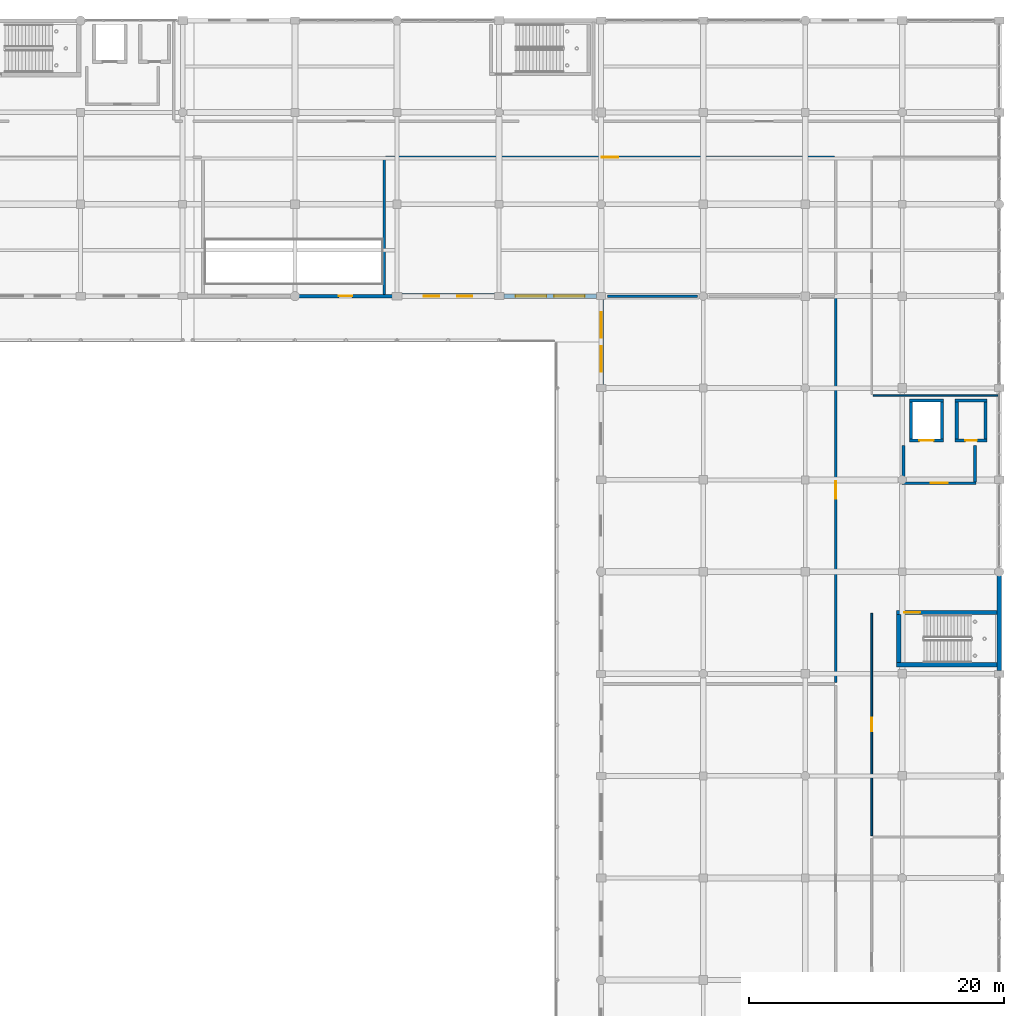
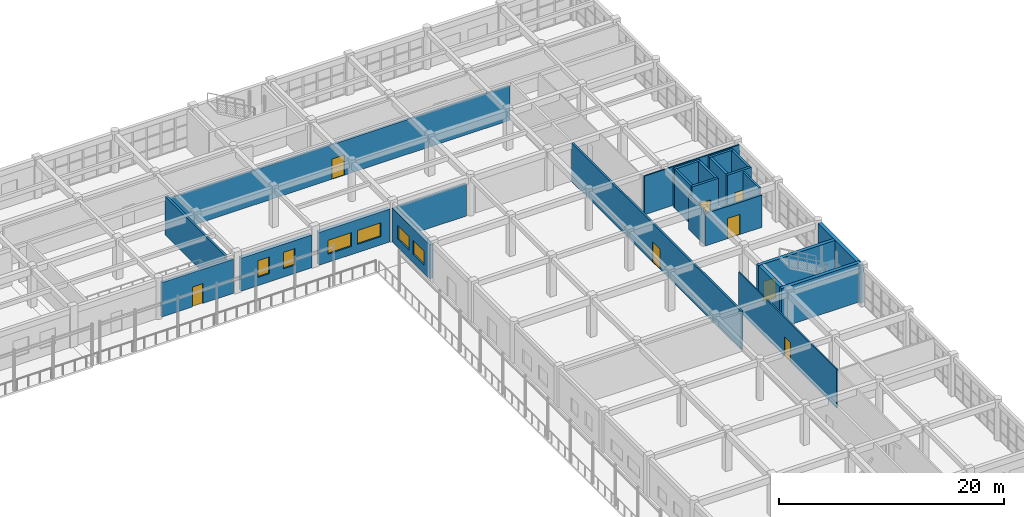
# One storey, part 136 of 160: 25 walls, 8 doors, 6 windows, 14 openings.
"""IFC4 building model written with IfcOpenShell, lengths in metres."""

from ifc_helpers import new_model, si_unit, direction, frame, frame_2d, origin, place, context, subcontext, project, spatial, rectangle, extrude, material, layer, layer_set, type_object, element, fill, save


model = new_model("IFC4")

# Units and contexts
model_context = context("Model", 3, precision=1e-05, world=origin(), true_north=direction((0.0, 1.0)))
body_context = subcontext(model_context, "Body", "Model", "MODEL_VIEW")
ifc_project = project(units=[si_unit("LENGTHUNIT", "METRE"), si_unit("AREAUNIT", "SQUARE_METRE"), si_unit("VOLUMEUNIT", "CUBIC_METRE"), si_unit("PLANEANGLEUNIT", "RADIAN"), si_unit("MASSUNIT", "GRAM", prefix="KILO")], contexts=[model_context])

# Site, building, storey
site_placement = place(None, origin())
site = spatial("IfcSite", under=ifc_project, at=site_placement, CompositionType="ELEMENT")
building_placement = place(site_placement, origin())
building = spatial("IfcBuilding", under=site, at=building_placement, Name="Kharva Crest Polytechnic", CompositionType="ELEMENT")
storey_placement = place(building_placement, frame((0.0, 0.0, 4.5)))
storey = spatial("IfcBuildingStorey", under=building, at=storey_placement, Name="L01", CompositionType="ELEMENT", Elevation=4.5)

# Wall
ifc_material_1 = material(Name="Concrete C40/50", Category="concrete")
ifc_layer_1 = layer(ifc_material_1, 0.35009765625, Name="Concrete C40/50")
ifc_layer_set_1 = layer_set([ifc_layer_1], Name="Concrete C40/50")
wall_type_1 = type_object("IfcWallType", Name="WL-CORE-CW1-350", PredefinedType="SHEAR", material=ifc_layer_set_1)
wall_1_placement = place(storey_placement, frame((175.949951171875, 71.4951171875, 0.0), z_axis=(0.0, 0.0, 1.0), x_axis=(1.0, 0.0, 0.0)))
element("IfcWall", 1, at=wall_1_placement, inside=storey, type_object=wall_type_1, Name="L01 East Crest Firefighting Core C5 South Shear Wall", PredefinedType="SHEAR", context=body_context, shape_type="SweptSolid", body=[
    extrude(rectangle(XDim=8.10009765625, YDim=0.35009765625, at=frame_2d((4.050048828125, 0.0))), origin(), (0.0, 0.0, 1.0), 4.219970703125),
])

# Wall, opening, door
wall_2_placement = place(storey_placement, frame((175.949951171875, 75.60498046875, 0.0), z_axis=(0.0, 0.0, 1.0), x_axis=(1.0, 0.0, 0.0)))
wall_2 = element("IfcWall", 2, at=wall_2_placement, inside=storey, type_object=wall_type_1, Name="L01 East Crest Firefighting Core C5 North Shear Wall", PredefinedType="SHEAR", context=body_context, shape_type="SweptSolid", body=[
    extrude(rectangle(XDim=8.10009765625, YDim=0.35009765625, at=frame_2d((4.050048828125, 0.0))), origin(), (0.0, 0.0, 1.0), 4.219970703125),
])
opening_1_placement = place(wall_2_placement, frame((0.60009765625, 0.0, 0.0)))
opening_1 = element("IfcOpeningElement", 3, at=opening_1_placement, cuts=wall_2, Name="Opening FD1B", PredefinedType="OPENING", context=body_context, shape_type="SweptSolid", body=[
    extrude(rectangle(XDim=1.25, YDim=2.199951171875, at=frame_2d((0.625, 1.10009765625))), frame((0.0, 0.18505859375, 0.0), z_axis=(0.0, -1.0, 0.0), x_axis=(1.0, 0.0, 0.0)), (0.0, 0.0, 1.0), 0.3701171875),
])
ifc_material_2 = material(Name="Teak timber", Category="wood")
door_type_1 = type_object("IfcDoorType", Name="DR-STAIR-1250X2200", OperationType="NOTDEFINED", PredefinedType="DOOR", material=ifc_material_2)
door_1_placement = place(opening_1_placement, origin())
door_1 = element("IfcDoor", 4, at=door_1_placement, inside=storey, type_object=door_type_1, Name="L01 ST-05 Stair Door", OperationType="SINGLE_SWING_LEFT", OverallHeight=2.199951171875, OverallWidth=1.25, PredefinedType="DOOR", context=body_context, shape_type="SweptSolid", body=[
    extrude(rectangle(XDim=1.25, YDim=2.199951171875, at=frame_2d((0.625, 1.10009765625))), frame((0.0, 0.02490234375, 0.0), z_axis=(0.0, -1.0, 0.0), x_axis=(1.0, 0.0, 0.0)), (0.0, 0.0, 1.0), 0.050048828125),
])
fill(opening_1, door_1)

# Wall
wall_3_placement = place(storey_placement, frame((176.125, 71.669921875, 0.0), z_axis=(0.0, 0.0, 1.0), x_axis=(0.0, 1.0, 0.0)))
element("IfcWall", 5, at=wall_3_placement, inside=storey, type_object=wall_type_1, Name="L01 East Crest Firefighting Core C5 West Shear Wall", PredefinedType="SHEAR", context=body_context, shape_type="SweptSolid", body=[
    extrude(rectangle(XDim=3.760009765625, YDim=0.35009765625, at=frame_2d((1.8798828125, 0.0))), origin(), (0.0, 0.0, 1.0), 4.219970703125),
])

# Wall, opening, door
ifc_material_3 = material(Name="Kiln brick masonry", Category="masonry")
ifc_layer_2 = layer(ifc_material_3, 0.260009765625, Name="Kiln brick masonry")
ifc_layer_set_2 = layer_set([ifc_layer_2], Name="Kiln brick masonry")
wall_type_2 = type_object("IfcWallType", Name="WL-EXT-BRK-260", PredefinedType="SOLIDWALL", material=ifc_layer_set_2)
wall_4_placement = place(storey_placement, frame((129.102294921875, 100.39990234375, 0.0), z_axis=(0.0, 0.0, 1.0), x_axis=(1.0, 0.0, 0.0)))
wall_4 = element("IfcWall", 6, at=wall_4_placement, inside=storey, type_object=wall_type_2, Name="L01 Exterior Brick Wall 188", PredefinedType="SOLIDWALL", context=body_context, shape_type="SweptSolid", body=[
    extrude(rectangle(XDim=7.32763671875, YDim=0.260009765625, at=frame_2d((3.663818359375, 0.0))), origin(), (0.0, 0.0, 1.0), 3.719970703125),
])
opening_2_placement = place(wall_4_placement, frame((3.138916015625, 0.0, 0.0)))
opening_2 = element("IfcOpeningElement", 7, at=opening_2_placement, cuts=wall_4, Name="Opening ED10", PredefinedType="OPENING", context=body_context, shape_type="SweptSolid", body=[
    extrude(rectangle(XDim=1.050048828125, YDim=2.14990234375, at=frame_2d((0.52490234375, 1.074951171875))), frame((0.0, 0.139892578125, 0.0), z_axis=(0.0, -1.0, 0.0), x_axis=(1.0, 0.0, 0.0)), (0.0, 0.0, 1.0), 0.280029296875),
])
ifc_material_4 = material(Name="Anodised aluminium", Category="aluminium")
door_type_2 = type_object("IfcDoorType", Name="DR-EXT-TER-1050X2150", OperationType="NOTDEFINED", PredefinedType="DOOR", material=ifc_material_4)
door_2_placement = place(opening_2_placement, frame((1.050048828125, 0.0, 0.0), z_axis=(0.0, 0.0, 1.0), x_axis=(-1.0, 0.0, 0.0)))
door_2 = element("IfcDoor", 8, at=door_2_placement, inside=storey, type_object=door_type_2, Name="L01 VER_N_L01 Access Door 39", OperationType="SINGLE_SWING_LEFT", OverallHeight=2.14990234375, OverallWidth=1.050048828125, PredefinedType="DOOR", context=body_context, shape_type="SweptSolid", body=[
    extrude(rectangle(XDim=1.050048828125, YDim=2.14990234375, at=frame_2d((0.52490234375, 1.074951171875))), frame((0.0, 0.02490234375, 0.0), z_axis=(0.0, -1.0, 0.0), x_axis=(1.0, 0.0, 0.0)), (0.0, 0.0, 1.0), 0.050048828125),
])
fill(opening_2, door_2)

# Wall, openings, windows
ifc_layer_3 = layer(ifc_material_3, 0.35009765625, Name="Kiln brick masonry")
ifc_layer_set_3 = layer_set([ifc_layer_3], Name="Kiln brick masonry")
wall_type_3 = type_object("IfcWallType", Name="WL-EXT-BRK-350", PredefinedType="SOLIDWALL", material=ifc_layer_set_3)
wall_5_placement = place(storey_placement, frame((152.800048828125, 100.1298828125, 0.0), z_axis=(0.0, 0.0, 1.0), x_axis=(0.0, -1.0, 0.0)))
wall_5 = element("IfcWall", 9, at=wall_5_placement, inside=storey, type_object=wall_type_3, Name="L01 Exterior Brick Wall 191", PredefinedType="SOLIDWALL", context=body_context, shape_type="SweptSolid", body=[
    extrude(rectangle(XDim=6.659912109375, YDim=0.35009765625, at=frame_2d((3.330078125, 0.0))), origin(), (0.0, 0.0, 1.0), 3.699951171875),
])
opening_3_placement = place(wall_5_placement, frame((0.992919921875, 0.0, 0.89990234375)))
opening_3 = element("IfcOpeningElement", 10, at=opening_3_placement, cuts=wall_5, Name="Opening W12", PredefinedType="OPENING", context=body_context, shape_type="SweptSolid", body=[
    extrude(rectangle(XDim=2.0, YDim=1.5, at=frame_2d((1.0, 0.75))), frame((0.0, 0.18505859375, 0.0), z_axis=(0.0, -1.0, 0.0), x_axis=(1.0, 0.0, 0.0)), (0.0, 0.0, 1.0), 0.3701171875),
])
opening_4_placement = place(wall_5_placement, frame((3.6669921875, 0.0, 0.89990234375)))
opening_4 = element("IfcOpeningElement", 11, at=opening_4_placement, cuts=wall_5, Name="Opening W12", PredefinedType="OPENING", context=body_context, shape_type="SweptSolid", body=[
    extrude(rectangle(XDim=2.0, YDim=1.5, at=frame_2d((1.0, 0.75))), frame((0.0, 0.18505859375, 0.0), z_axis=(0.0, -1.0, 0.0), x_axis=(1.0, 0.0, 0.0)), (0.0, 0.0, 1.0), 0.3701171875),
])
window_type_1 = type_object("IfcWindowType", Name="WIN-ALU-2000X1500", PartitioningType="SINGLE_PANEL", PredefinedType="WINDOW", material=ifc_material_4)
window_1_placement = place(opening_3_placement, origin())
window_1 = element("IfcWindow", 12, at=window_1_placement, inside=storey, type_object=window_type_1, Name="L01 Exterior Window 250", OverallHeight=1.5, OverallWidth=2.0, PartitioningType="SINGLE_PANEL", PredefinedType="WINDOW", context=body_context, shape_type="SweptSolid", body=[
    extrude(rectangle(XDim=2.0, YDim=1.5, at=frame_2d((1.0, 0.75))), frame((0.0, 0.030029296875, 0.0), z_axis=(0.0, -1.0, 0.0), x_axis=(1.0, 0.0, 0.0)), (0.0, 0.0, 1.0), 0.06005859375),
])
fill(opening_3, window_1)
window_2_placement = place(opening_4_placement, origin())
window_2 = element("IfcWindow", 13, at=window_2_placement, inside=storey, type_object=window_type_1, Name="L01 Exterior Window 251", OverallHeight=1.5, OverallWidth=2.0, PartitioningType="SINGLE_PANEL", PredefinedType="WINDOW", context=body_context, shape_type="SweptSolid", body=[
    extrude(rectangle(XDim=2.0, YDim=1.5, at=frame_2d((1.0, 0.75))), frame((0.0, 0.030029296875, 0.0), z_axis=(0.0, -1.0, 0.0), x_axis=(1.0, 0.0, 0.0)), (0.0, 0.0, 1.0), 0.06005859375),
])
fill(opening_4, window_2)

ifc_layer_4 = layer(ifc_material_3, 0.364990234375, Name="Kiln brick masonry")
ifc_layer_set_4 = layer_set([ifc_layer_4], Name="Kiln brick masonry")
wall_type_4 = type_object("IfcWallType", Name="WL-EXT-BRK-365", PredefinedType="SOLIDWALL", material=ifc_layer_set_4)
wall_6_placement = place(storey_placement, frame((145.169921875, 100.39990234375, 0.0), z_axis=(0.0, 0.0, 1.0), x_axis=(1.0, 0.0, 0.0)))
wall_6 = element("IfcWall", 14, at=wall_6_placement, inside=storey, type_object=wall_type_4, Name="L01 Exterior Brick Wall 190", PredefinedType="SOLIDWALL", context=body_context, shape_type="SweptSolid", body=[
    extrude(rectangle(XDim=7.275146484375, YDim=0.364990234375, at=frame_2d((3.6376953125, 0.0))), origin(), (0.0, 0.0, 1.0), 3.570068359375),
])
opening_5_placement = place(wall_6_placement, frame((0.931884765625, 0.0, 0.89990234375)))
opening_5 = element("IfcOpeningElement", 15, at=opening_5_placement, cuts=wall_6, Name="Opening W10", PredefinedType="OPENING", context=body_context, shape_type="SweptSolid", body=[
    extrude(rectangle(XDim=2.39990234375, YDim=1.5, at=frame_2d((1.199951171875, 0.75))), frame((0.0, 0.1923828125, 0.0), z_axis=(0.0, -1.0, 0.0), x_axis=(1.0, 0.0, 0.0)), (0.0, 0.0, 1.0), 0.385009765625),
])
opening_6_placement = place(wall_6_placement, frame((3.943115234375, 0.0, 0.89990234375)))
opening_6 = element("IfcOpeningElement", 16, at=opening_6_placement, cuts=wall_6, Name="Opening W10", PredefinedType="OPENING", context=body_context, shape_type="SweptSolid", body=[
    extrude(rectangle(XDim=2.39990234375, YDim=1.5, at=frame_2d((1.199951171875, 0.75))), frame((0.0, 0.1923828125, 0.0), z_axis=(0.0, -1.0, 0.0), x_axis=(1.0, 0.0, 0.0)), (0.0, 0.0, 1.0), 0.385009765625),
])
window_type_2 = type_object("IfcWindowType", Name="WIN-ALU-2400X1500", PartitioningType="SINGLE_PANEL", PredefinedType="WINDOW", material=ifc_material_4)
window_3_placement = place(opening_5_placement, origin())
window_3 = element("IfcWindow", 17, at=window_3_placement, inside=storey, type_object=window_type_2, Name="L01 Exterior Window 248", OverallHeight=1.5, OverallWidth=2.39990234375, PartitioningType="SINGLE_PANEL", PredefinedType="WINDOW", context=body_context, shape_type="SweptSolid", body=[
    extrude(rectangle(XDim=2.39990234375, YDim=1.5, at=frame_2d((1.199951171875, 0.75))), frame((0.0, 0.030029296875, 0.0), z_axis=(0.0, -1.0, 0.0), x_axis=(1.0, 0.0, 0.0)), (0.0, 0.0, 1.0), 0.06005859375),
])
fill(opening_5, window_3)
window_4_placement = place(opening_6_placement, origin())
window_4 = element("IfcWindow", 18, at=window_4_placement, inside=storey, type_object=window_type_2, Name="L01 Exterior Window 249", OverallHeight=1.5, OverallWidth=2.39990234375, PartitioningType="SINGLE_PANEL", PredefinedType="WINDOW", context=body_context, shape_type="SweptSolid", body=[
    extrude(rectangle(XDim=2.39990234375, YDim=1.5, at=frame_2d((1.199951171875, 0.75))), frame((0.0, 0.030029296875, 0.0), z_axis=(0.0, -1.0, 0.0), x_axis=(1.0, 0.0, 0.0)), (0.0, 0.0, 1.0), 0.06005859375),
])
fill(opening_6, window_4)

ifc_layer_5 = layer(ifc_material_3, 0.3798828125, Name="Kiln brick masonry")
ifc_layer_set_5 = layer_set([ifc_layer_5], Name="Kiln brick masonry")
wall_type_5 = type_object("IfcWallType", Name="WL-EXT-BRK-380", PredefinedType="SOLIDWALL", material=ifc_layer_set_5)
wall_7_placement = place(storey_placement, frame((137.169921875, 100.39990234375, 0.0), z_axis=(0.0, 0.0, 1.0), x_axis=(1.0, 0.0, 0.0)))
wall_7 = element("IfcWall", 19, at=wall_7_placement, inside=storey, type_object=wall_type_5, Name="L01 Exterior Brick Wall 189", PredefinedType="SOLIDWALL", context=body_context, shape_type="SweptSolid", body=[
    extrude(rectangle(XDim=7.260009765625, YDim=0.3798828125, at=frame_2d((3.6298828125, 0.0))), origin(), (0.0, 0.0, 1.0), 3.570068359375),
])
opening_7_placement = place(wall_7_placement, frame((1.72705078125, 0.0, 0.89990234375)))
opening_7 = element("IfcOpeningElement", 20, at=opening_7_placement, cuts=wall_7, Name="Opening W08", PredefinedType="OPENING", context=body_context, shape_type="SweptSolid", body=[
    extrude(rectangle(XDim=1.199951171875, YDim=1.800048828125, at=frame_2d((0.60009765625, 0.89990234375))), frame((0.0, 0.199951171875, 0.0), z_axis=(0.0, -1.0, 0.0), x_axis=(1.0, 0.0, 0.0)), (0.0, 0.0, 1.0), 0.39990234375),
])
opening_8_placement = place(wall_7_placement, frame((4.3330078125, 0.0, 0.89990234375)))
opening_8 = element("IfcOpeningElement", 21, at=opening_8_placement, cuts=wall_7, Name="Opening W08", PredefinedType="OPENING", context=body_context, shape_type="SweptSolid", body=[
    extrude(rectangle(XDim=1.199951171875, YDim=1.800048828125, at=frame_2d((0.60009765625, 0.89990234375))), frame((0.0, 0.199951171875, 0.0), z_axis=(0.0, -1.0, 0.0), x_axis=(1.0, 0.0, 0.0)), (0.0, 0.0, 1.0), 0.39990234375),
])
window_type_3 = type_object("IfcWindowType", Name="WIN-ALU-1200X1800", PartitioningType="SINGLE_PANEL", PredefinedType="WINDOW", material=ifc_material_4)
window_5_placement = place(opening_7_placement, origin())
window_5 = element("IfcWindow", 22, at=window_5_placement, inside=storey, type_object=window_type_3, Name="L01 Exterior Window 246", OverallHeight=1.800048828125, OverallWidth=1.199951171875, PartitioningType="SINGLE_PANEL", PredefinedType="WINDOW", context=body_context, shape_type="SweptSolid", body=[
    extrude(rectangle(XDim=1.199951171875, YDim=1.800048828125, at=frame_2d((0.60009765625, 0.89990234375))), frame((0.0, 0.030029296875, 0.0), z_axis=(0.0, -1.0, 0.0), x_axis=(1.0, 0.0, 0.0)), (0.0, 0.0, 1.0), 0.06005859375),
])
fill(opening_7, window_5)
window_6_placement = place(opening_8_placement, origin())
window_6 = element("IfcWindow", 23, at=window_6_placement, inside=storey, type_object=window_type_3, Name="L01 Exterior Window 247", OverallHeight=1.800048828125, OverallWidth=1.199951171875, PartitioningType="SINGLE_PANEL", PredefinedType="WINDOW", context=body_context, shape_type="SweptSolid", body=[
    extrude(rectangle(XDim=1.199951171875, YDim=1.800048828125, at=frame_2d((0.60009765625, 0.89990234375))), frame((0.0, 0.030029296875, 0.0), z_axis=(0.0, -1.0, 0.0), x_axis=(1.0, 0.0, 0.0)), (0.0, 0.0, 1.0), 0.06005859375),
])
fill(opening_8, window_6)

# Wall
wall_8_placement = place(storey_placement, frame((184.0, 71.070068359375, 0.0), z_axis=(0.0, 0.0, 1.0), x_axis=(0.0, 1.0, 0.0)))
element("IfcWall", 24, at=wall_8_placement, inside=storey, type_object=wall_type_5, Name="L01 Exterior Brick Wall 201", PredefinedType="SOLIDWALL", context=body_context, shape_type="SweptSolid", body=[
    extrude(rectangle(XDim=7.427490234375, YDim=0.3798828125, at=frame_2d((3.7138671875, 0.0))), origin(), (0.0, 0.0, 1.0), 4.219970703125),
])

# Wall, opening, door
ifc_layer_6 = layer(ifc_material_3, 0.199951171875, Name="Kiln brick masonry")
ifc_layer_set_6 = layer_set([ifc_layer_6], Name="Kiln brick masonry")
wall_type_6 = type_object("IfcWallType", Name="WL-FIRE-FW1-200", PredefinedType="SOLIDWALL", material=ifc_layer_set_6)
wall_9_placement = place(storey_placement, frame((176.39990234375, 85.75, 0.0), z_axis=(0.0, 0.0, 1.0), x_axis=(1.0, 0.0, 0.0)))
wall_9 = element("IfcWall", 25, at=wall_9_placement, inside=storey, type_object=wall_type_6, Name="L01 Firefighting Lobby FL2 South Wall", PredefinedType="SOLIDWALL", context=body_context, shape_type="SweptSolid", body=[
    extrude(rectangle(XDim=5.800048828125, YDim=0.199951171875, at=frame_2d((2.89990234375, 0.0))), origin(), (0.0, 0.0, 1.0), 3.5),
])
opening_9_placement = place(wall_9_placement, frame((2.25, 0.0, 0.0)))
opening_9 = element("IfcOpeningElement", 26, at=opening_9_placement, cuts=wall_9, Name="Opening FD2", PredefinedType="OPENING", context=body_context, shape_type="SweptSolid", body=[
    extrude(rectangle(XDim=1.300048828125, YDim=2.199951171875, at=frame_2d((0.64990234375, 1.10009765625))), frame((0.0, 0.10986328125, 0.0), z_axis=(0.0, -1.0, 0.0), x_axis=(1.0, 0.0, 0.0)), (0.0, 0.0, 1.0), 0.219970703125),
])
door_type_3 = type_object("IfcDoorType", Name="DR-FFLOB-1300X2200", OperationType="NOTDEFINED", PredefinedType="DOOR", material=ifc_material_2)
door_3_placement = place(opening_9_placement, origin())
door_3 = element("IfcDoor", 27, at=door_3_placement, inside=storey, type_object=door_type_3, Name="L01 Firefighting Lobby FL2 Smoke Door", OperationType="SINGLE_SWING_RIGHT", OverallHeight=2.199951171875, OverallWidth=1.300048828125, PredefinedType="DOOR", context=body_context, shape_type="SweptSolid", body=[
    extrude(rectangle(XDim=1.300048828125, YDim=2.199951171875, at=frame_2d((0.64990234375, 1.10009765625))), frame((0.0, 0.02490234375, 0.0), z_axis=(0.0, -1.0, 0.0), x_axis=(1.0, 0.0, 0.0)), (0.0, 0.0, 1.0), 0.050048828125),
])
fill(opening_9, door_3)

# Walls
wall_10_placement = place(storey_placement, frame((176.5, 85.85009765625, 0.0), z_axis=(0.0, 0.0, 1.0), x_axis=(0.0, 1.0, 0.0)))
element("IfcWall", 28, at=wall_10_placement, inside=storey, type_object=wall_type_6, Name="L01 Firefighting Lobby FL2 West Wall", PredefinedType="SOLIDWALL", context=body_context, shape_type="SweptSolid", body=[
    extrude(rectangle(XDim=2.849853515625, YDim=0.199951171875, at=frame_2d((1.4248046875, 0.0))), origin(), (0.0, 0.0, 1.0), 3.639892578125),
])
wall_11_placement = place(storey_placement, frame((182.10009765625, 85.85009765625, 0.0), z_axis=(0.0, 0.0, 1.0), x_axis=(0.0, 1.0, 0.0)))
element("IfcWall", 29, at=wall_11_placement, inside=storey, type_object=wall_type_6, Name="L01 Firefighting Lobby FL2 East Wall", PredefinedType="SOLIDWALL", context=body_context, shape_type="SweptSolid", body=[
    extrude(rectangle(XDim=2.849853515625, YDim=0.199951171875, at=frame_2d((1.4248046875, 0.0))), origin(), (0.0, 0.0, 1.0), 4.219970703125),
])

# Wall, opening, door
wall_12_placement = place(storey_placement, frame((135.909912109375, 111.2900390625, 0.0), z_axis=(0.0, 0.0, 1.0), x_axis=(1.0, 0.0, 0.0)))
wall_12 = element("IfcWall", 30, at=wall_12_placement, inside=storey, type_object=wall_type_6, Name="L01 Interior Partition 180", PredefinedType="SOLIDWALL", context=body_context, shape_type="SweptSolid", body=[
    extrude(rectangle(XDim=35.170166015625, YDim=0.199951171875, at=frame_2d((17.5849609375, 0.0))), origin(), (0.0, 0.0, 1.0), 3.760009765625),
])
opening_10_placement = place(wall_12_placement, frame((16.945068359375, 0.0, 0.0)))
opening_10 = element("IfcOpeningElement", 31, at=opening_10_placement, cuts=wall_12, Name="Opening ID7", PredefinedType="OPENING", context=body_context, shape_type="SweptSolid", body=[
    extrude(rectangle(XDim=1.280029296875, YDim=2.199951171875, at=frame_2d((0.64013671875, 1.10009765625))), frame((0.0, 0.10986328125, 0.0), z_axis=(0.0, -1.0, 0.0), x_axis=(1.0, 0.0, 0.0)), (0.0, 0.0, 1.0), 0.219970703125),
])
door_type_4 = type_object("IfcDoorType", Name="DR-LAB-1280X2200", OperationType="NOTDEFINED", PredefinedType="DOOR", material=ifc_material_2)
door_4_placement = place(opening_10_placement, origin())
door_4 = element("IfcDoor", 32, at=door_4_placement, inside=storey, type_object=door_type_4, Name="L01 Microprocessors Laboratory Door", OperationType="SINGLE_SWING_LEFT", OverallHeight=2.199951171875, OverallWidth=1.280029296875, PredefinedType="DOOR", context=body_context, shape_type="SweptSolid", body=[
    extrude(rectangle(XDim=1.280029296875, YDim=2.199951171875, at=frame_2d((0.64013671875, 1.10009765625))), frame((0.0, 0.02490234375, 0.0), z_axis=(0.0, -1.0, 0.0), x_axis=(1.0, 0.0, 0.0)), (0.0, 0.0, 1.0), 0.050048828125),
])
fill(opening_10, door_4)

# Wall
ifc_layer_7 = layer(ifc_material_3, 0.1298828125, Name="Kiln brick masonry")
ifc_layer_set_7 = layer_set([ifc_layer_7], Name="Kiln brick masonry")
wall_type_7 = type_object("IfcWallType", Name="WL-PART-130", PredefinedType="PARTITIONING", material=ifc_layer_set_7)
wall_13_placement = place(storey_placement, frame((174.1201171875, 92.60009765625, 0.0), z_axis=(0.0, 0.0, 1.0), x_axis=(1.0, 0.0, 0.0)))
element("IfcWall", 33, at=wall_13_placement, inside=storey, type_object=wall_type_7, Name="L01 Interior Partition 195", PredefinedType="PARTITIONING", context=body_context, shape_type="SweptSolid", body=[
    extrude(rectangle(XDim=9.769775390625, YDim=0.1298828125, at=frame_2d((4.884765625, 0.0))), origin(), (0.0, 0.0, 1.0), 4.199951171875),
])

# Wall, opening, door
ifc_layer_8 = layer(ifc_material_3, 0.139892578125, Name="Kiln brick masonry")
ifc_layer_set_8 = layer_set([ifc_layer_8], Name="Kiln brick masonry")
wall_type_8 = type_object("IfcWallType", Name="WL-PART-140", PredefinedType="PARTITIONING", material=ifc_layer_set_8)
wall_14_placement = place(storey_placement, frame((174.010009765625, 58.1201171875, 0.0), z_axis=(0.0, 0.0, 1.0), x_axis=(0.0, 1.0, 0.0)))
wall_14 = element("IfcWall", 34, at=wall_14_placement, inside=storey, type_object=wall_type_8, Name="L01 Interior Partition 194", PredefinedType="PARTITIONING", context=body_context, shape_type="SweptSolid", body=[
    extrude(rectangle(XDim=17.409912109375, YDim=0.139892578125, at=frame_2d((8.705078125, 0.0))), origin(), (0.0, 0.0, 1.0), 4.199951171875),
])
opening_11_placement = place(wall_14_placement, frame((8.1650390625, 0.0, 0.0)))
opening_11 = element("IfcOpeningElement", 35, at=opening_11_placement, cuts=wall_14, Name="Opening ID10", PredefinedType="OPENING", context=body_context, shape_type="SweptSolid", body=[
    extrude(rectangle(XDim=1.080078125, YDim=2.14990234375, at=frame_2d((0.5400390625, 1.074951171875))), frame((0.0, 0.079833984375, 0.0), z_axis=(0.0, -1.0, 0.0), x_axis=(1.0, 0.0, 0.0)), (0.0, 0.0, 1.0), 0.159912109375),
])
door_type_5 = type_object("IfcDoorType", Name="DR-CLS-1080X2150", OperationType="NOTDEFINED", PredefinedType="DOOR", material=ifc_material_2)
door_5_placement = place(opening_11_placement, origin())
door_5 = element("IfcDoor", 36, at=door_5_placement, inside=storey, type_object=door_type_5, Name="L01 Classroom L01-NE Door", OperationType="SINGLE_SWING_RIGHT", OverallHeight=2.14990234375, OverallWidth=1.080078125, PredefinedType="DOOR", context=body_context, shape_type="SweptSolid", body=[
    extrude(rectangle(XDim=1.080078125, YDim=2.14990234375, at=frame_2d((0.5400390625, 1.074951171875))), frame((0.0, 0.02490234375, 0.0), z_axis=(0.0, -1.0, 0.0), x_axis=(1.0, 0.0, 0.0)), (0.0, 0.0, 1.0), 0.050048828125),
])
fill(opening_11, door_5)

ifc_layer_9 = layer(ifc_material_3, 0.18994140625, Name="Kiln brick masonry")
ifc_layer_set_9 = layer_set([ifc_layer_9], Name="Kiln brick masonry")
wall_type_9 = type_object("IfcWallType", Name="WL-PART-190", PredefinedType="PARTITIONING", material=ifc_layer_set_9)
wall_15_placement = place(storey_placement, frame((171.18994140625, 70.1201171875, 0.0), z_axis=(0.0, 0.0, 1.0), x_axis=(0.0, 1.0, 0.0)))
wall_15 = element("IfcWall", 37, at=wall_15_placement, inside=storey, type_object=wall_type_9, Name="L01 Interior Partition 191", PredefinedType="PARTITIONING", context=body_context, shape_type="SweptSolid", body=[
    extrude(rectangle(XDim=30.159912109375, YDim=0.18994140625, at=frame_2d((15.080078125, 0.0))), origin(), (0.0, 0.0, 1.0), 4.199951171875),
])
opening_12_placement = place(wall_15_placement, frame((14.405029296875, 0.0, 0.0)))
opening_12 = element("IfcOpeningElement", 38, at=opening_12_placement, cuts=wall_15, Name="Opening ID6", PredefinedType="OPENING", context=body_context, shape_type="SweptSolid", body=[
    extrude(rectangle(XDim=1.35009765625, YDim=2.199951171875, at=frame_2d((0.675048828125, 1.10009765625))), frame((0.0, 0.10498046875, 0.0), z_axis=(0.0, -1.0, 0.0), x_axis=(1.0, 0.0, 0.0)), (0.0, 0.0, 1.0), 0.2099609375),
])
door_type_6 = type_object("IfcDoorType", Name="DR-LAB-1350X2200", OperationType="NOTDEFINED", PredefinedType="DOOR", material=ifc_material_2)
door_6_placement = place(opening_12_placement, origin())
door_6 = element("IfcDoor", 39, at=door_6_placement, inside=storey, type_object=door_type_6, Name="L01 Circuit Design Laboratory Door", OperationType="SINGLE_SWING_RIGHT", OverallHeight=2.199951171875, OverallWidth=1.35009765625, PredefinedType="DOOR", context=body_context, shape_type="SweptSolid", body=[
    extrude(rectangle(XDim=1.35009765625, YDim=2.199951171875, at=frame_2d((0.675048828125, 1.10009765625))), frame((0.0, 0.02490234375, 0.0), z_axis=(0.0, -1.0, 0.0), x_axis=(1.0, 0.0, 0.0)), (0.0, 0.0, 1.0), 0.050048828125),
])
fill(opening_12, door_6)

# Walls
ifc_layer_10 = layer(ifc_material_3, 0.215087890625, Name="Kiln brick masonry")
ifc_layer_set_10 = layer_set([ifc_layer_10], Name="Kiln brick masonry")
wall_type_10 = type_object("IfcWallType", Name="WL-PART-215", PredefinedType="PARTITIONING", material=ifc_layer_set_10)
wall_16_placement = place(storey_placement, frame((153.2900390625, 100.39990234375, 0.0), z_axis=(0.0, 0.0, 1.0), x_axis=(1.0, 0.0, 0.0)))
element("IfcWall", 40, at=wall_16_placement, inside=storey, type_object=wall_type_10, Name="L01 Interior Partition 177", PredefinedType="PARTITIONING", context=body_context, shape_type="SweptSolid", body=[
    extrude(rectangle(XDim=7.050048828125, YDim=0.215087890625, at=frame_2d((3.52490234375, 0.0))), origin(), (0.0, 0.0, 1.0), 3.5),
])
wall_17_placement = place(storey_placement, frame((135.800048828125, 100.510009765625, 0.0), z_axis=(0.0, 0.0, 1.0), x_axis=(0.0, 1.0, 0.0)))
element("IfcWall", 41, at=wall_17_placement, inside=storey, type_object=wall_type_10, Name="L01 Interior Partition 181", PredefinedType="PARTITIONING", context=body_context, shape_type="SweptSolid", body=[
    extrude(rectangle(XDim=10.669921875, YDim=0.215087890625, at=frame_2d((5.3349609375, 0.0))), origin(), (0.0, 0.0, 1.0), 4.199951171875),
])

# Wall, opening, door
ifc_layer_11 = layer(ifc_material_1, 0.25, Name="Concrete C40/50")
ifc_layer_set_11 = layer_set([ifc_layer_11], Name="Concrete C40/50")
wall_type_11 = type_object("IfcWallType", Name="WL-SHEAR-SW1-250", PredefinedType="SHEAR", material=ifc_layer_set_11)
wall_18_placement = place(storey_placement, frame((176.949951171875, 89.074951171875, 0.0), z_axis=(0.0, 0.0, 1.0), x_axis=(1.0, 0.0, 0.0)))
wall_18 = element("IfcWall", 42, at=wall_18_placement, inside=storey, type_object=wall_type_11, Name="L01 Lift FL2 South Shaft Wall", PredefinedType="SHEAR", context=body_context, shape_type="SweptSolid", body=[
    extrude(rectangle(XDim=2.699951171875, YDim=0.25, at=frame_2d((1.35009765625, 0.0))), origin(), (0.0, 0.0, 1.0), 4.219970703125),
])
opening_13_placement = place(wall_18_placement, frame((0.800048828125, 0.0, 0.0)))
opening_13 = element("IfcOpeningElement", 43, at=opening_13_placement, cuts=wall_18, Name="Opening LD1", PredefinedType="OPENING", context=body_context, shape_type="SweptSolid", body=[
    extrude(rectangle(XDim=1.10009765625, YDim=2.14990234375, at=frame_2d((0.550048828125, 1.074951171875))), frame((0.0, 0.135009765625, 0.0), z_axis=(0.0, -1.0, 0.0), x_axis=(1.0, 0.0, 0.0)), (0.0, 0.0, 1.0), 0.27001953125),
])
door_type_7 = type_object("IfcDoorType", Name="DR-LIFT-LD1-1100X2150", OperationType="SLIDING_TO_LEFT", PredefinedType="DOOR", material=ifc_material_4)
door_7_placement = place(opening_13_placement, origin())
door_7 = element("IfcDoor", 44, at=door_7_placement, inside=storey, type_object=door_type_7, Name="L01 Lift FL2 Sliding Landing Door", OperationType="SLIDING_TO_LEFT", OverallHeight=2.14990234375, OverallWidth=1.10009765625, PredefinedType="DOOR", context=body_context, shape_type="SweptSolid", body=[
    extrude(rectangle(XDim=1.10009765625, YDim=2.14990234375, at=frame_2d((0.550048828125, 1.074951171875))), frame((0.0, 0.02490234375, 0.0), z_axis=(0.0, -1.0, 0.0), x_axis=(1.0, 0.0, 0.0)), (0.0, 0.0, 1.0), 0.050048828125),
])
fill(opening_13, door_7)

# Walls
wall_19_placement = place(storey_placement, frame((176.949951171875, 92.22509765625, 0.0), z_axis=(0.0, 0.0, 1.0), x_axis=(1.0, 0.0, 0.0)))
element("IfcWall", 45, at=wall_19_placement, inside=storey, type_object=wall_type_11, Name="L01 Lift FL2 North Shaft Wall", PredefinedType="SHEAR", context=body_context, shape_type="SweptSolid", body=[
    extrude(rectangle(XDim=2.699951171875, YDim=0.25, at=frame_2d((1.35009765625, 0.0))), origin(), (0.0, 0.0, 1.0), 4.219970703125),
])
for number, where, z_axis, x_axis, name in (
    (46, (177.074951171875, 89.199951171875, 0.0), (0.0, 0.0, 1.0), (0.0, 1.0, 0.0), "L01 Lift FL2 West Shaft Wall"),
    (47, (179.52490234375, 89.199951171875, 0.0), (0.0, 0.0, 1.0), (0.0, 1.0, 0.0), "L01 Lift FL2 East Shaft Wall"),
):
    element("IfcWall", number, at=place(storey_placement, frame(where, z_axis=z_axis, x_axis=x_axis)), inside=storey, type_object=wall_type_11, Name=name, PredefinedType="SHEAR", context=body_context, shape_type="SweptSolid", body=[
        extrude(rectangle(XDim=2.900146484375, YDim=0.25, at=frame_2d((1.4501953125, 0.0))), origin(), (0.0, 0.0, 1.0), 4.219970703125),
    ])

# Wall, opening, door
wall_20_placement = place(storey_placement, frame((180.550048828125, 89.074951171875, 0.0), z_axis=(0.0, 0.0, 1.0), x_axis=(1.0, 0.0, 0.0)))
wall_20 = element("IfcWall", 48, at=wall_20_placement, inside=storey, type_object=wall_type_11, Name="L01 Core C5 Riser South Wall", PredefinedType="SHEAR", context=body_context, shape_type="SweptSolid", body=[
    extrude(rectangle(XDim=2.5, YDim=0.25, at=frame_2d((1.25, 0.0))), origin(), (0.0, 0.0, 1.0), 4.219970703125),
])
opening_14_placement = place(wall_20_placement, frame((0.800048828125, 0.0, 0.0)))
opening_14 = element("IfcOpeningElement", 49, at=opening_14_placement, cuts=wall_20, Name="Opening FD3", PredefinedType="OPENING", context=body_context, shape_type="SweptSolid", body=[
    extrude(rectangle(XDim=0.89990234375, YDim=2.050048828125, at=frame_2d((0.449951171875, 1.02490234375))), frame((0.0, 0.135009765625, 0.0), z_axis=(0.0, -1.0, 0.0), x_axis=(1.0, 0.0, 0.0)), (0.0, 0.0, 1.0), 0.27001953125),
])
door_type_8 = type_object("IfcDoorType", Name="DR-RISER-900X2050", OperationType="NOTDEFINED", PredefinedType="DOOR", material=ifc_material_4)
door_8_placement = place(opening_14_placement, origin())
door_8 = element("IfcDoor", 50, at=door_8_placement, inside=storey, type_object=door_type_8, Name="L01 Core C5 Riser Access Door", OperationType="SINGLE_SWING_LEFT", OverallHeight=2.050048828125, OverallWidth=0.89990234375, PredefinedType="DOOR", context=body_context, shape_type="SweptSolid", body=[
    extrude(rectangle(XDim=0.89990234375, YDim=2.050048828125, at=frame_2d((0.449951171875, 1.02490234375))), frame((0.0, 0.02490234375, 0.0), z_axis=(0.0, -1.0, 0.0), x_axis=(1.0, 0.0, 0.0)), (0.0, 0.0, 1.0), 0.050048828125),
])
fill(opening_14, door_8)

# Walls
wall_21_placement = place(storey_placement, frame((180.550048828125, 92.22509765625, 0.0), z_axis=(0.0, 0.0, 1.0), x_axis=(1.0, 0.0, 0.0)))
element("IfcWall", 51, at=wall_21_placement, inside=storey, type_object=wall_type_11, Name="L01 Core C5 Riser North Wall", PredefinedType="SHEAR", context=body_context, shape_type="SweptSolid", body=[
    extrude(rectangle(XDim=2.5, YDim=0.25, at=frame_2d((1.25, 0.0))), origin(), (0.0, 0.0, 1.0), 4.219970703125),
])
for number, where, z_axis, x_axis, name in (
    (52, (180.675048828125, 89.199951171875, 0.0), (0.0, 0.0, 1.0), (0.0, 1.0, 0.0), "L01 Core C5 Riser West Wall"),
    (53, (182.925048828125, 89.199951171875, 0.0), (0.0, 0.0, 1.0), (0.0, 1.0, 0.0), "L01 Core C5 Riser East Wall"),
):
    element("IfcWall", number, at=place(storey_placement, frame(where, z_axis=z_axis, x_axis=x_axis)), inside=storey, type_object=wall_type_11, Name=name, PredefinedType="SHEAR", context=body_context, shape_type="SweptSolid", body=[
        extrude(rectangle(XDim=2.900146484375, YDim=0.25, at=frame_2d((1.4501953125, 0.0))), origin(), (0.0, 0.0, 1.0), 4.219970703125),
    ])

save(model, "model.ifc")
